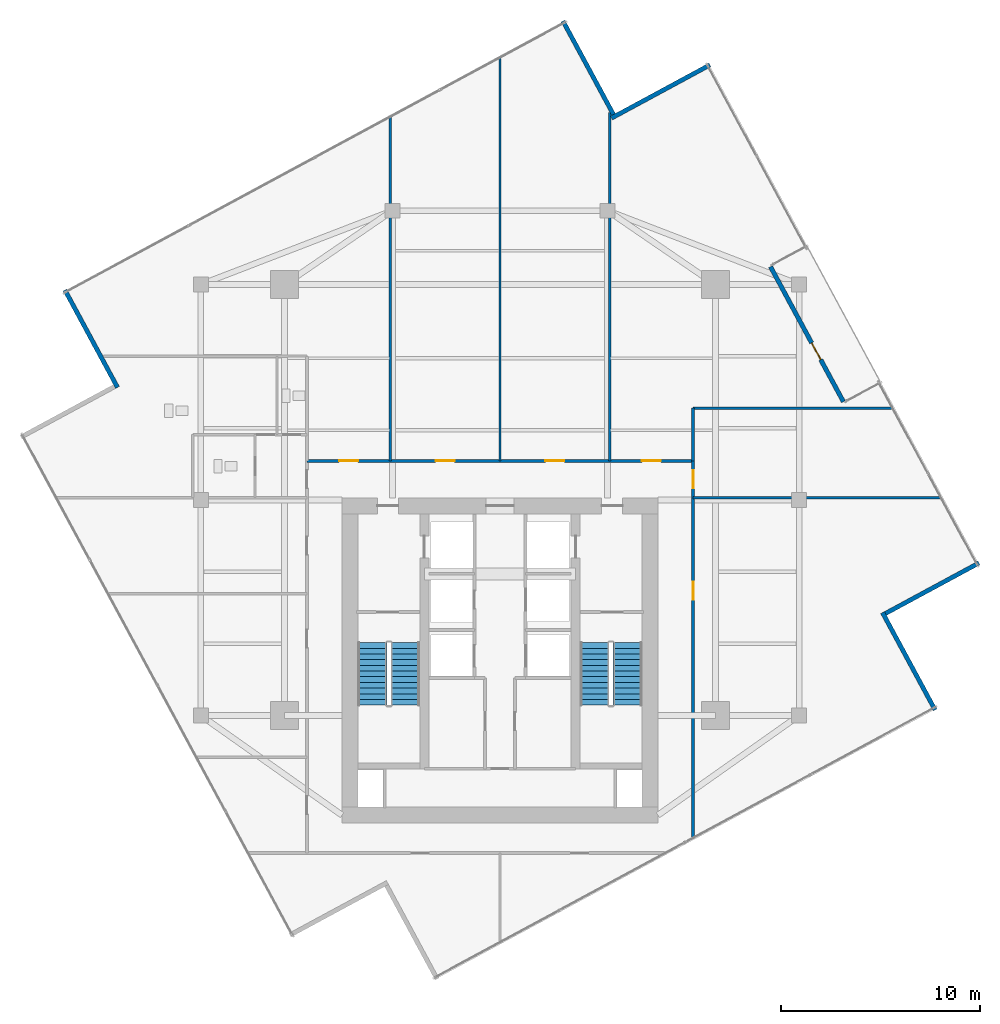
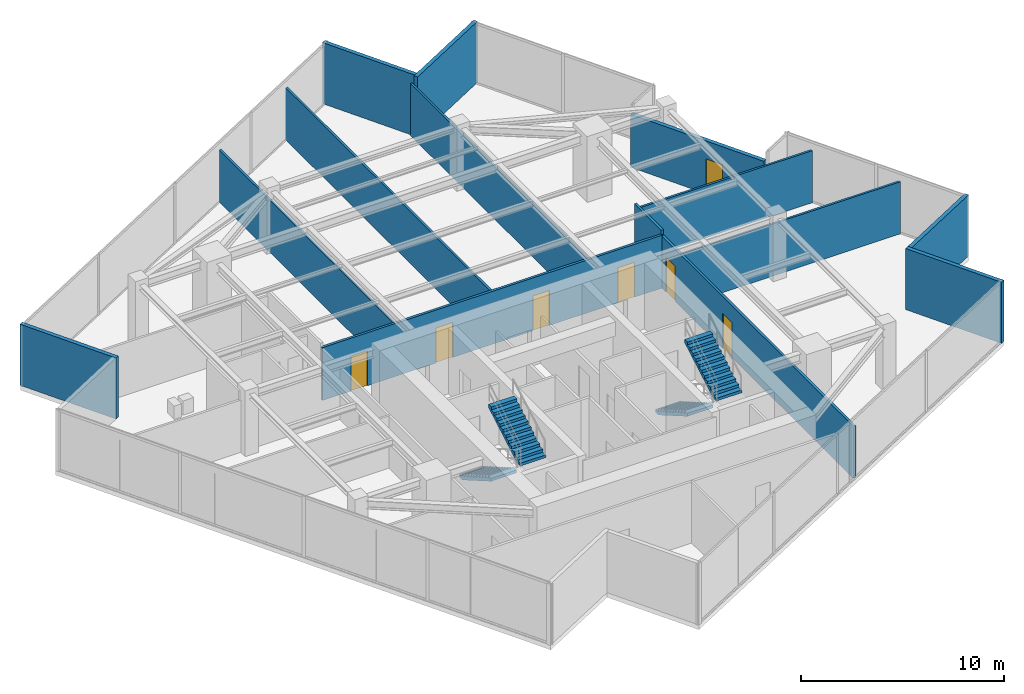
# One storey, part 20 of 22: 14 walls, 7 doors, 4 stair flights, 7 openings, 2 elements without a shape of their own.
"""IFC4 building model written with IfcOpenShell, lengths in metres."""

from ifc_helpers import new_model, si_unit, direction, frame, frame_2d, origin, place, context, subcontext, project, spatial, polyline, rectangle, outline, extrude, material, layer, layer_set, type_object, element, fill, aggregate, save


model = new_model("IFC4")

# Units and contexts
model_context = context("Model", 3, precision=1e-05, world=origin(), true_north=direction((0.0, 1.0)))
body_context = subcontext(model_context, "Body", "Model", "MODEL_VIEW")
ifc_project = project(units=[si_unit("LENGTHUNIT", "METRE"), si_unit("AREAUNIT", "SQUARE_METRE"), si_unit("VOLUMEUNIT", "CUBIC_METRE"), si_unit("PLANEANGLEUNIT", "RADIAN"), si_unit("MASSUNIT", "GRAM", prefix="KILO")], contexts=[model_context])

# Site, building, storey
site_placement = place(None, origin())
site = spatial("IfcSite", under=ifc_project, at=site_placement, CompositionType="ELEMENT")
building_placement = place(site_placement, origin())
building = spatial("IfcBuilding", under=site, at=building_placement, Name="Krantzveldt Concourse Tower", CompositionType="ELEMENT")
storey_placement = place(building_placement, frame((0.0, 0.0, 306.89990234375)))
storey = spatial("IfcBuildingStorey", under=building, at=storey_placement, Name="L75", CompositionType="ELEMENT", Elevation=306.89990234375)

# Walls
ifc_material_1 = material(Name="Anodised aluminium 6063-T6", Category="aluminium")
ifc_layer_1 = layer(ifc_material_1, 0.219970703125, Name="Anodised aluminium 6063-T6", Category="aluminium")
ifc_layer_set_1 = layer_set([ifc_layer_1], Name="Anodised aluminium 6063-T6 (WL-EXT-NOTCH220)")
wall_type_1 = type_object("IfcWallType", Name="WL-EXT-NOTCH220", PredefinedType="ELEMENTEDWALL", material=ifc_layer_set_1)
wall_1_placement = place(storey_placement, frame((41.689208984375, 46.025634765625, 0.0), z_axis=(0.0, 0.0, 1.0), x_axis=(-0.475250431035, 0.879850571291, 0.0)))
element("IfcWall", 1, at=wall_1_placement, inside=storey, type_object=wall_type_1, Name="EW-L75-NCH00", PredefinedType="ELEMENTEDWALL", context=body_context, shape_type="SweptSolid", body=[
    extrude(rectangle(XDim=5.3251953125, YDim=0.219970703125, at=frame_2d((2.66259765625, 0.0))), origin(), (0.0, 0.0, 1.0), 3.670166015625),
])
for number, where, z_axis, x_axis, name in (
    (2, (14.188232421875, 37.223388671875, 0.0), (0.0, 0.0, 1.0), (0.475257315172, -0.879846852796, 0.0), "EW-L75-NCH02"),
    (3, (57.811767578125, 16.176513671875, 0.0), (0.0, 0.0, 1.0), (-0.475257315172, 0.879846852796, 0.0), "EW-L75-NCH08"),
):
    element("IfcWall", number, at=place(storey_placement, frame(where, z_axis=z_axis, x_axis=x_axis)), inside=storey, type_object=wall_type_1, Name=name, PredefinedType="ELEMENTEDWALL", context=body_context, shape_type="SweptSolid", body=[
        extrude(rectangle(XDim=5.544921875, YDim=0.219970703125, at=frame_2d((2.7724609375, 0.0))), origin(), (0.0, 0.0, 1.0), 3.670166015625),
    ])
wall_2_placement = place(storey_placement, frame((55.32568359375, 21.0107421875, 0.0), z_axis=(0.0, 0.0, 1.0), x_axis=(0.879840215515, 0.475269602607, 0.0)))
element("IfcWall", 4, at=wall_2_placement, inside=storey, type_object=wall_type_1, Name="EW-L75-NCH09", PredefinedType="ELEMENTEDWALL", context=body_context, shape_type="SweptSolid", body=[
    extrude(rectangle(XDim=5.324951171875, YDim=0.219970703125, at=frame_2d((2.66259765625, 0.0))), origin(), (0.0, 0.0, 1.0), 3.670166015625),
])

# Wall, opening, door
wall_3_placement = place(storey_placement, frame((49.561279296875, 38.39501953125, 0.0), z_axis=(0.0, 0.0, 1.0), x_axis=(0.475258045718, -0.879846458185, 0.0)))
wall_3 = element("IfcWall", 5, at=wall_3_placement, inside=storey, type_object=wall_type_1, Name="EW-L75-TSLOT", PredefinedType="ELEMENTEDWALL", context=body_context, shape_type="SweptSolid", body=[
    extrude(rectangle(XDim=7.690185546875, YDim=0.219970703125, at=frame_2d((3.84521484375, 0.0))), origin(), (0.0, 0.0, 1.0), 3.18017578125),
])
opening_1_placement = place(wall_3_placement, frame((4.34326171875, 0.0, 0.0)))
opening_1 = element("IfcOpeningElement", 6, at=opening_1_placement, cuts=wall_3, Name="Opening D-EX95", PredefinedType="OPENING", context=body_context, shape_type="SweptSolid", body=[
    extrude(rectangle(XDim=0.949951171875, YDim=2.10009765625, at=frame_2d((0.47509765625, 1.050048828125))), frame((0.0, 0.1201171875, 0.0), z_axis=(0.0, -1.0, 0.0), x_axis=(1.0, 0.0, 0.0)), (0.0, 0.0, 1.0), 0.239990234375),
])
door_type_1 = type_object("IfcDoorType", Name="DR-EXT-950", OperationType="SINGLE_SWING_LEFT", PredefinedType="DOOR", material=ifc_material_1)
door_1_placement = place(opening_1_placement, origin())
door_1 = element("IfcDoor", 7, at=door_1_placement, inside=storey, type_object=door_type_1, Name="DR-L75-TERR", OperationType="SINGLE_SWING_LEFT", OverallHeight=2.10009765625, OverallWidth=0.949951171875, PredefinedType="DOOR", context=body_context, shape_type="SweptSolid", body=[
    extrude(rectangle(XDim=0.949951171875, YDim=2.10009765625, at=frame_2d((0.47509765625, 1.050048828125))), frame((0.0, 0.02490234375, 0.0), z_axis=(0.0, -1.0, 0.0), x_axis=(1.0, 0.0, 0.0)), (0.0, 0.0, 1.0), 0.050048828125),
])
fill(opening_1, door_1)

# Walls
wall_4_placement = place(storey_placement, frame((46.5234375, 48.51171875, 0.0), z_axis=(0.0, 0.0, 1.0), x_axis=(-0.879863910566, -0.475225734661, 0.0)))
element("IfcWall", 8, at=wall_4_placement, inside=storey, type_object=wall_type_1, Name="EW-L75-NCH15", PredefinedType="ELEMENTEDWALL", context=body_context, shape_type="SweptSolid", body=[
    extrude(rectangle(XDim=5.610107421875, YDim=0.219970703125, at=frame_2d((2.80517578125, 0.0))), origin(), (0.0, 0.0, 1.0), 3.670166015625),
])
ifc_material_2 = material(Name="Fire-rated gypsum plasterboard on steel stud", Category="steel")
ifc_layer_2 = layer(ifc_material_2, 0.1201171875, Name="Fire-rated gypsum plasterboard on steel stud", Category="steel")
ifc_layer_set_2 = layer_set([ifc_layer_2], Name="Fire-rated gypsum plasterboard on steel stud (WL-PART-120)")
wall_type_2 = type_object("IfcWallType", Name="WL-PART-120", PredefinedType="PARTITIONING", material=ifc_layer_set_2)
wall_5_placement = place(storey_placement, frame((45.679931640625, 26.820068359375, 0.0), z_axis=(0.0, 0.0, 1.0), x_axis=(1.0, 0.0, 0.0)))
element("IfcWall", 9, at=wall_5_placement, inside=storey, type_object=wall_type_2, Name="WP-L75-PNTS", PredefinedType="PARTITIONING", context=body_context, shape_type="SweptSolid", body=[
    extrude(rectangle(XDim=12.429443359375, YDim=0.1201171875, at=frame_2d((6.21484375, 0.0))), origin(), (0.0, 0.0, 1.0), 3.130126953125),
])
wall_6_placement = place(storey_placement, frame((45.679931640625, 31.300048828125, 0.0), z_axis=(0.0, 0.0, 1.0), x_axis=(1.0, 0.0, 0.0)))
element("IfcWall", 10, at=wall_6_placement, inside=storey, type_object=wall_type_2, Name="WP-L75-PNTN", PredefinedType="PARTITIONING", context=body_context, shape_type="SweptSolid", body=[
    extrude(rectangle(XDim=10.009521484375, YDim=0.1201171875, at=frame_2d((5.0048828125, 0.0))), origin(), (0.0, 0.0, 1.0), 3.130126953125),
])
wall_7_placement = place(storey_placement, frame((30.5, 28.659912109375, 0.0), z_axis=(0.0, 0.0, 1.0), x_axis=(0.0, 1.0, 0.0)))
element("IfcWall", 11, at=wall_7_placement, inside=storey, type_object=wall_type_2, Name="WP-L75-ND1", PredefinedType="PARTITIONING", context=body_context, shape_type="SweptSolid", body=[
    extrude(rectangle(XDim=17.243408203125, YDim=0.1201171875, at=frame_2d((8.62158203125, 0.0))), origin(), (0.0, 0.0, 1.0), 3.130126953125),
])
wall_8_placement = place(storey_placement, frame((36.0, 28.659912109375, 0.0), z_axis=(0.0, 0.0, 1.0), x_axis=(0.0, 1.0, 0.0)))
element("IfcWall", 12, at=wall_8_placement, inside=storey, type_object=wall_type_2, Name="WP-L75-ND2", PredefinedType="PARTITIONING", context=body_context, shape_type="SweptSolid", body=[
    extrude(rectangle(XDim=20.214111328125, YDim=0.1201171875, at=frame_2d((10.10693359375, 0.0))), origin(), (0.0, 0.0, 1.0), 3.130126953125),
])
wall_9_placement = place(storey_placement, frame((41.5, 28.659912109375, 0.0), z_axis=(0.0, 0.0, 1.0), x_axis=(0.0, 1.0, 0.0)))
element("IfcWall", 13, at=wall_9_placement, inside=storey, type_object=wall_type_2, Name="WP-L75-ND3", PredefinedType="PARTITIONING", context=body_context, shape_type="SweptSolid", body=[
    extrude(rectangle(XDim=17.47412109375, YDim=0.1201171875, at=frame_2d((8.737060546875, 0.0))), origin(), (0.0, 0.0, 1.0), 3.130126953125),
])

# Wall, openings, doors
ifc_layer_3 = layer(ifc_material_2, 0.139892578125, Name="Fire-rated gypsum plasterboard on steel stud", Category="steel")
ifc_layer_set_3 = layer_set([ifc_layer_3], Name="Fire-rated gypsum plasterboard on steel stud (WL-PART-140)")
wall_type_3 = type_object("IfcWallType", Name="WL-PART-140", PredefinedType="PARTITIONING", material=ifc_layer_set_3)
wall_10_placement = place(storey_placement, frame((26.320068359375, 28.659912109375, 0.0), z_axis=(0.0, 0.0, 1.0), x_axis=(1.0, 0.0, 0.0)))
wall_10 = element("IfcWall", 14, at=wall_10_placement, inside=storey, type_object=wall_type_3, Name="WP-L75-CNHDR", PredefinedType="PARTITIONING", context=body_context, shape_type="SweptSolid", body=[
    extrude(rectangle(XDim=19.35986328125, YDim=0.139892578125, at=frame_2d((9.679931640625, 0.0))), origin(), (0.0, 0.0, 1.0), 3.18017578125),
])
opening_2_placement = place(wall_10_placement, frame((1.614990234375, 0.0, 0.0)))
opening_2 = element("IfcOpeningElement", 15, at=opening_2_placement, cuts=wall_10, Name="Opening D-IN095", PredefinedType="OPENING", context=body_context, shape_type="SweptSolid", body=[
    extrude(rectangle(XDim=0.949951171875, YDim=2.10009765625, at=frame_2d((0.47509765625, 1.050048828125))), frame((0.0, 0.080078125, 0.0), z_axis=(0.0, -1.0, 0.0), x_axis=(1.0, 0.0, 0.0)), (0.0, 0.0, 1.0), 0.159912109375),
])
opening_3_placement = place(wall_10_placement, frame((6.455078125, 0.0, 0.0)))
opening_3 = element("IfcOpeningElement", 16, at=opening_3_placement, cuts=wall_10, Name="Opening D-IN095", PredefinedType="OPENING", context=body_context, shape_type="SweptSolid", body=[
    extrude(rectangle(XDim=0.949951171875, YDim=2.10009765625, at=frame_2d((0.47509765625, 1.050048828125))), frame((0.0, 0.080078125, 0.0), z_axis=(0.0, -1.0, 0.0), x_axis=(1.0, 0.0, 0.0)), (0.0, 0.0, 1.0), 0.159912109375),
])
opening_4_placement = place(wall_10_placement, frame((11.955078125, 0.0, 0.0)))
opening_4 = element("IfcOpeningElement", 17, at=opening_4_placement, cuts=wall_10, Name="Opening D-IN095", PredefinedType="OPENING", context=body_context, shape_type="SweptSolid", body=[
    extrude(rectangle(XDim=0.949951171875, YDim=2.10009765625, at=frame_2d((0.47509765625, 1.050048828125))), frame((0.0, 0.080078125, 0.0), z_axis=(0.0, -1.0, 0.0), x_axis=(1.0, 0.0, 0.0)), (0.0, 0.0, 1.0), 0.159912109375),
])
opening_5_placement = place(wall_10_placement, frame((16.794921875, 0.0, 0.0)))
opening_5 = element("IfcOpeningElement", 18, at=opening_5_placement, cuts=wall_10, Name="Opening D-IN095", PredefinedType="OPENING", context=body_context, shape_type="SweptSolid", body=[
    extrude(rectangle(XDim=0.949951171875, YDim=2.10009765625, at=frame_2d((0.47509765625, 1.050048828125))), frame((0.0, 0.080078125, 0.0), z_axis=(0.0, -1.0, 0.0), x_axis=(1.0, 0.0, 0.0)), (0.0, 0.0, 1.0), 0.159912109375),
])
ifc_material_3 = material(Name="Hardwood timber", Category="wood")
door_type_2 = type_object("IfcDoorType", Name="DR-INT-950", OperationType="SINGLE_SWING_LEFT", PredefinedType="DOOR", material=ifc_material_3)
door_2_placement = place(opening_2_placement, origin())
door_2 = element("IfcDoor", 19, at=door_2_placement, inside=storey, type_object=door_type_2, Name="DR-L75-NR1", OperationType="SINGLE_SWING_LEFT", OverallHeight=2.10009765625, OverallWidth=0.949951171875, PredefinedType="DOOR", context=body_context, shape_type="SweptSolid", body=[
    extrude(rectangle(XDim=0.949951171875, YDim=2.10009765625, at=frame_2d((0.47509765625, 1.050048828125))), frame((0.0, 0.02490234375, 0.0), z_axis=(0.0, -1.0, 0.0), x_axis=(1.0, 0.0, 0.0)), (0.0, 0.0, 1.0), 0.050048828125),
])
fill(opening_2, door_2)
door_3_placement = place(opening_3_placement, origin())
door_3 = element("IfcDoor", 20, at=door_3_placement, inside=storey, type_object=door_type_2, Name="DR-L75-NR2", OperationType="SINGLE_SWING_LEFT", OverallHeight=2.10009765625, OverallWidth=0.949951171875, PredefinedType="DOOR", context=body_context, shape_type="SweptSolid", body=[
    extrude(rectangle(XDim=0.949951171875, YDim=2.10009765625, at=frame_2d((0.47509765625, 1.050048828125))), frame((0.0, 0.02490234375, 0.0), z_axis=(0.0, -1.0, 0.0), x_axis=(1.0, 0.0, 0.0)), (0.0, 0.0, 1.0), 0.050048828125),
])
fill(opening_3, door_3)
door_4_placement = place(opening_4_placement, origin())
door_4 = element("IfcDoor", 21, at=door_4_placement, inside=storey, type_object=door_type_2, Name="DR-L75-NR3", OperationType="SINGLE_SWING_LEFT", OverallHeight=2.10009765625, OverallWidth=0.949951171875, PredefinedType="DOOR", context=body_context, shape_type="SweptSolid", body=[
    extrude(rectangle(XDim=0.949951171875, YDim=2.10009765625, at=frame_2d((0.47509765625, 1.050048828125))), frame((0.0, 0.02490234375, 0.0), z_axis=(0.0, -1.0, 0.0), x_axis=(1.0, 0.0, 0.0)), (0.0, 0.0, 1.0), 0.050048828125),
])
fill(opening_4, door_4)
door_5_placement = place(opening_5_placement, origin())
door_5 = element("IfcDoor", 22, at=door_5_placement, inside=storey, type_object=door_type_2, Name="DR-L75-NR4", OperationType="SINGLE_SWING_LEFT", OverallHeight=2.10009765625, OverallWidth=0.949951171875, PredefinedType="DOOR", context=body_context, shape_type="SweptSolid", body=[
    extrude(rectangle(XDim=0.949951171875, YDim=2.10009765625, at=frame_2d((0.47509765625, 1.050048828125))), frame((0.0, 0.02490234375, 0.0), z_axis=(0.0, -1.0, 0.0), x_axis=(1.0, 0.0, 0.0)), (0.0, 0.0, 1.0), 0.050048828125),
])
fill(opening_5, door_5)

wall_11_placement = place(storey_placement, frame((45.679931640625, 9.75439453125, 0.0), z_axis=(0.0, 0.0, 1.0), x_axis=(0.0, 1.0, 0.0)))
wall_11 = element("IfcWall", 23, at=wall_11_placement, inside=storey, type_object=wall_type_3, Name="WP-L75-CEAST", PredefinedType="PARTITIONING", context=body_context, shape_type="SweptSolid", body=[
    extrude(rectangle(XDim=18.905517578125, YDim=0.139892578125, at=frame_2d((9.45263671875, 0.0))), origin(), (0.0, 0.0, 1.0), 3.130126953125),
])
opening_6_placement = place(wall_11_placement, frame((17.545654296875, 0.0, 0.0)))
opening_6 = element("IfcOpeningElement", 24, at=opening_6_placement, cuts=wall_11, Name="Opening D-IN090", PredefinedType="OPENING", context=body_context, shape_type="SweptSolid", body=[
    extrude(rectangle(XDim=0.89990234375, YDim=2.10009765625, at=frame_2d((0.449951171875, 1.050048828125))), frame((0.0, 0.080078125, 0.0), z_axis=(0.0, -1.0, 0.0), x_axis=(1.0, 0.0, 0.0)), (0.0, 0.0, 1.0), 0.159912109375),
])
opening_7_placement = place(wall_11_placement, frame((11.95556640625, 0.0, 0.0)))
opening_7 = element("IfcOpeningElement", 25, at=opening_7_placement, cuts=wall_11, Name="Opening D-IN090", PredefinedType="OPENING", context=body_context, shape_type="SweptSolid", body=[
    extrude(rectangle(XDim=0.89990234375, YDim=2.10009765625, at=frame_2d((0.449951171875, 1.050048828125))), frame((0.0, 0.080078125, 0.0), z_axis=(0.0, -1.0, 0.0), x_axis=(1.0, 0.0, 0.0)), (0.0, 0.0, 1.0), 0.159912109375),
])
door_type_3 = type_object("IfcDoorType", Name="DR-INT-900", OperationType="SINGLE_SWING_LEFT", PredefinedType="DOOR", material=ifc_material_3)
door_6_placement = place(opening_6_placement, origin())
door_6 = element("IfcDoor", 26, at=door_6_placement, inside=storey, type_object=door_type_3, Name="DR-L75-PNT", OperationType="SINGLE_SWING_RIGHT", OverallHeight=2.10009765625, OverallWidth=0.89990234375, PredefinedType="DOOR", context=body_context, shape_type="SweptSolid", body=[
    extrude(rectangle(XDim=0.89990234375, YDim=2.10009765625, at=frame_2d((0.449951171875, 1.050048828125))), frame((0.0, 0.02490234375, 0.0), z_axis=(0.0, -1.0, 0.0), x_axis=(1.0, 0.0, 0.0)), (0.0, 0.0, 1.0), 0.050048828125),
])
fill(opening_6, door_6)
door_7_placement = place(opening_7_placement, origin())
door_7 = element("IfcDoor", 27, at=door_7_placement, inside=storey, type_object=door_type_3, Name="DR-L75-ER1", OperationType="SINGLE_SWING_LEFT", OverallHeight=2.10009765625, OverallWidth=0.89990234375, PredefinedType="DOOR", context=body_context, shape_type="SweptSolid", body=[
    extrude(rectangle(XDim=0.89990234375, YDim=2.10009765625, at=frame_2d((0.449951171875, 1.050048828125))), frame((0.0, 0.02490234375, 0.0), z_axis=(0.0, -1.0, 0.0), x_axis=(1.0, 0.0, 0.0)), (0.0, 0.0, 1.0), 0.050048828125),
])
fill(opening_7, door_7)

# Wall
wall_12_placement = place(storey_placement, frame((45.679931640625, 28.659912109375, 0.0), z_axis=(0.0, 0.0, 1.0), x_axis=(0.0, 1.0, 0.0)))
element("IfcWall", 28, at=wall_12_placement, inside=storey, type_object=wall_type_3, Name="WP-L75-NER", PredefinedType="PARTITIONING", context=body_context, shape_type="SweptSolid", body=[
    extrude(rectangle(XDim=2.64013671875, YDim=0.139892578125, at=frame_2d((1.320068359375, 0.0))), origin(), (0.0, 0.0, 1.0), 3.43017578125),
])

# Stair, stair flights
ifc_material_4 = material(Name="Precast concrete C40/50", Category="concrete")
stair_type = type_object("IfcStairType", Name="STR-CORE-DOGLEG", PredefinedType="HALF_TURN_STAIR", material=ifc_material_4)
stair_1_placement = place(storey_placement, origin())
stair_1 = element("IfcStair", 29, at=stair_1_placement, inside=storey, type_object=stair_type, Name="L75 Protected Escape Stair ST-1", PredefinedType="HALF_TURN_STAIR")
stair_flight_type = type_object("IfcStairFlightType", Name="STF-CORE-1450", PredefinedType="STRAIGHT", material=ifc_material_4)
stair_flight_1_placement = place(storey_placement, frame((29.60498046875, 19.550048828125, 0.0), z_axis=(0.0, 0.0, 1.0), x_axis=(0.0, -1.0, 0.0)))
stair_flight_1 = element("IfcStairFlight", 30, at=stair_flight_1_placement, type_object=stair_flight_type, Name="ST-1 flight 1", NumberOfRisers=12, NumberOfTreads=11, PredefinedType="STRAIGHT", RiserHeight=0.164583333, TreadLength=0.285, context=body_context, shape_type="SweptSolid", body=[
    extrude(outline(polyline([(0.0, 0.0), (0.0, 0.16455078125), (0.284912109375, 0.16455078125), (0.284912109375, 0.3291015625), (0.570068359375, 0.3291015625), (0.570068359375, 0.49365234375), (0.85498046875, 0.49365234375), (0.85498046875, 0.658447265625), (1.139892578125, 0.658447265625), (1.139892578125, 0.822998046875), (1.425048828125, 0.822998046875), (1.425048828125, 0.987548828125), (1.7099609375, 0.987548828125), (1.7099609375, 1.152099609375), (1.9951171875, 1.152099609375), (1.9951171875, 1.316650390625), (2.280029296875, 1.316650390625), (2.280029296875, 1.481201171875), (2.56494140625, 1.481201171875), (2.56494140625, 1.645751953125), (2.85009765625, 1.645751953125), (2.85009765625, 1.810302734375), (3.135009765625, 1.810302734375), (3.135009765625, 1.97509765625), (3.135009765625, 1.63720703125), (0.2998046875, 0.0), (0.0, 0.0)])), frame((0.0, 0.72509765625, 0.0), z_axis=(0.0, -1.0, 0.0), x_axis=(1.0, 0.0, 0.0)), (0.0, 0.0, 1.0), 1.449951171875),
])
stair_flight_2_placement = place(storey_placement, frame((31.2548828125, 16.4150390625, 1.97509765625), z_axis=(0.0, 0.0, 1.0), x_axis=(0.0, 1.0, 0.0)))
stair_flight_2 = element("IfcStairFlight", 31, at=stair_flight_2_placement, type_object=stair_flight_type, Name="ST-1 flight 2", NumberOfRisers=12, NumberOfTreads=11, PredefinedType="STRAIGHT", RiserHeight=0.164583333, TreadLength=0.285, context=body_context, shape_type="SweptSolid", body=[
    extrude(outline(polyline([(0.0, 0.0), (0.0, 0.16455078125), (0.284912109375, 0.16455078125), (0.284912109375, 0.3291015625), (0.570068359375, 0.3291015625), (0.570068359375, 0.49365234375), (0.85498046875, 0.49365234375), (0.85498046875, 0.658447265625), (1.139892578125, 0.658447265625), (1.139892578125, 0.822998046875), (1.425048828125, 0.822998046875), (1.425048828125, 0.987548828125), (1.7099609375, 0.987548828125), (1.7099609375, 1.152099609375), (1.9951171875, 1.152099609375), (1.9951171875, 1.316650390625), (2.280029296875, 1.316650390625), (2.280029296875, 1.481201171875), (2.56494140625, 1.481201171875), (2.56494140625, 1.645751953125), (2.85009765625, 1.645751953125), (2.85009765625, 1.810302734375), (3.135009765625, 1.810302734375), (3.135009765625, 1.97509765625), (3.135009765625, 1.63720703125), (0.2998046875, 0.0), (0.0, 0.0)])), frame((0.0, 0.72509765625, 0.0), z_axis=(0.0, -1.0, 0.0), x_axis=(1.0, 0.0, 0.0)), (0.0, 0.0, 1.0), 1.449951171875),
])
aggregate(stair_1, [stair_flight_1, stair_flight_2])

stair_2_placement = place(storey_placement, origin())
stair_2 = element("IfcStair", 32, at=stair_2_placement, inside=storey, type_object=stair_type, Name="L75 Protected Escape Stair ST-2", PredefinedType="HALF_TURN_STAIR")
stair_flight_3_placement = place(storey_placement, frame((40.7451171875, 19.550048828125, 0.0), z_axis=(0.0, 0.0, 1.0), x_axis=(0.0, -1.0, 0.0)))
stair_flight_3 = element("IfcStairFlight", 33, at=stair_flight_3_placement, type_object=stair_flight_type, Name="ST-2 flight 1", NumberOfRisers=12, NumberOfTreads=11, PredefinedType="STRAIGHT", RiserHeight=0.164583333, TreadLength=0.285, context=body_context, shape_type="SweptSolid", body=[
    extrude(outline(polyline([(0.0, 0.0), (0.0, 0.16455078125), (0.284912109375, 0.16455078125), (0.284912109375, 0.3291015625), (0.570068359375, 0.3291015625), (0.570068359375, 0.49365234375), (0.85498046875, 0.49365234375), (0.85498046875, 0.658447265625), (1.139892578125, 0.658447265625), (1.139892578125, 0.822998046875), (1.425048828125, 0.822998046875), (1.425048828125, 0.987548828125), (1.7099609375, 0.987548828125), (1.7099609375, 1.152099609375), (1.9951171875, 1.152099609375), (1.9951171875, 1.316650390625), (2.280029296875, 1.316650390625), (2.280029296875, 1.481201171875), (2.56494140625, 1.481201171875), (2.56494140625, 1.645751953125), (2.85009765625, 1.645751953125), (2.85009765625, 1.810302734375), (3.135009765625, 1.810302734375), (3.135009765625, 1.97509765625), (3.135009765625, 1.63720703125), (0.2998046875, 0.0), (0.0, 0.0)])), frame((0.0, 0.72509765625, 0.0), z_axis=(0.0, -1.0, 0.0), x_axis=(1.0, 0.0, 0.0)), (0.0, 0.0, 1.0), 1.449951171875),
])
stair_flight_4_placement = place(storey_placement, frame((42.39501953125, 16.4150390625, 1.97509765625), z_axis=(0.0, 0.0, 1.0), x_axis=(0.0, 1.0, 0.0)))
stair_flight_4 = element("IfcStairFlight", 34, at=stair_flight_4_placement, type_object=stair_flight_type, Name="ST-2 flight 2", NumberOfRisers=12, NumberOfTreads=11, PredefinedType="STRAIGHT", RiserHeight=0.164583333, TreadLength=0.285, context=body_context, shape_type="SweptSolid", body=[
    extrude(outline(polyline([(0.0, 0.0), (0.0, 0.16455078125), (0.284912109375, 0.16455078125), (0.284912109375, 0.3291015625), (0.570068359375, 0.3291015625), (0.570068359375, 0.49365234375), (0.85498046875, 0.49365234375), (0.85498046875, 0.658447265625), (1.139892578125, 0.658447265625), (1.139892578125, 0.822998046875), (1.425048828125, 0.822998046875), (1.425048828125, 0.987548828125), (1.7099609375, 0.987548828125), (1.7099609375, 1.152099609375), (1.9951171875, 1.152099609375), (1.9951171875, 1.316650390625), (2.280029296875, 1.316650390625), (2.280029296875, 1.481201171875), (2.56494140625, 1.481201171875), (2.56494140625, 1.645751953125), (2.85009765625, 1.645751953125), (2.85009765625, 1.810302734375), (3.135009765625, 1.810302734375), (3.135009765625, 1.97509765625), (3.135009765625, 1.63720703125), (0.2998046875, 0.0), (0.0, 0.0)])), frame((0.0, 0.72509765625, 0.0), z_axis=(0.0, -1.0, 0.0), x_axis=(1.0, 0.0, 0.0)), (0.0, 0.0, 1.0), 1.449951171875),
])
aggregate(stair_2, [stair_flight_3, stair_flight_4])

save(model, "model.ifc")
